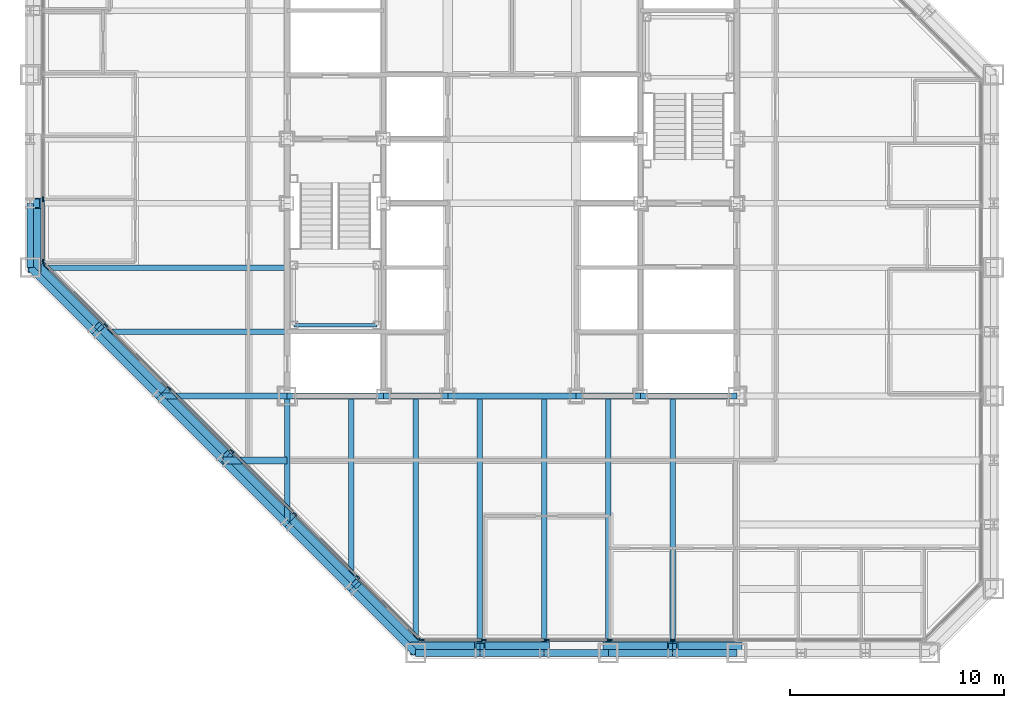
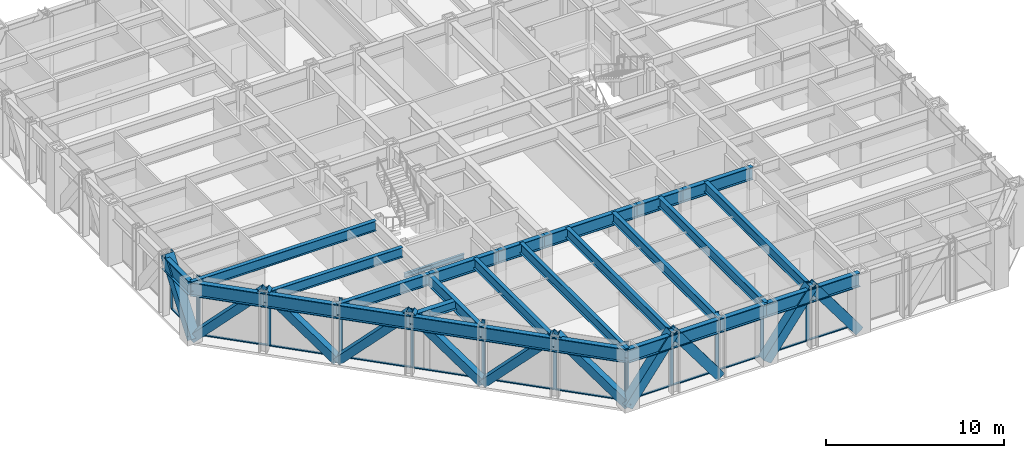
# One storey, part 4 of 16: 37 members, 29 beams, 3 elements without a shape of their own.
"""IFC4 building model written with IfcOpenShell, lengths in metres."""

from ifc_helpers import new_model, si_unit, direction, frame, origin, origin_2d, place, context, subcontext, project, spatial, rectangle, hollow_rectangle, i_section, extrude, material, layer, layer_set, material_profile, profile_set, type_object, element, aggregate, save


model = new_model("IFC4")

# Units and contexts
model_context = context("Model", 3, precision=1e-05, world=origin(), true_north=direction((0.0, 1.0)))
body_context = subcontext(model_context, "Body", "Model", "MODEL_VIEW")
ifc_project = project(units=[si_unit("LENGTHUNIT", "METRE"), si_unit("AREAUNIT", "SQUARE_METRE"), si_unit("VOLUMEUNIT", "CUBIC_METRE"), si_unit("PLANEANGLEUNIT", "RADIAN"), si_unit("MASSUNIT", "GRAM", prefix="KILO")], contexts=[model_context])

# Site, building, storey
site_placement = place(None, origin())
site = spatial("IfcSite", under=ifc_project, at=site_placement, CompositionType="ELEMENT")
building_placement = place(site_placement, origin())
building = spatial("IfcBuilding", under=site, at=building_placement, Name="Chuquiago Exchange Tower", CompositionType="ELEMENT")
storey_placement = place(building_placement, frame((0.0, 0.0, 157.199951171875)))
storey = spatial("IfcBuildingStorey", under=building, at=storey_placement, Name="L34", CompositionType="ELEMENT", Elevation=157.199951171875)

# Beams
ifc_material_1 = material(Name="Steel ASTM A992", Category="steel")
ifc_material_profile_1 = material_profile(ifc_material_1, i_section(OverallWidth=0.25390625, OverallDepth=0.683349609375, WebThickness=0.012451171875, FlangeThickness=0.018798828125, at=origin_2d()), Name="W27X94")
ifc_profile_set_1 = profile_set([ifc_material_profile_1], Name="Steel ASTM A992")
beam_type_1 = type_object("IfcBeamType", Name="B1 W27X94", PredefinedType="BEAM", material=ifc_profile_set_1)
beam_1_placement = place(storey_placement, frame((15.0, 12.0, 3.698486328125), z_axis=(0.0, -1.0, 0.0), x_axis=(1.0, 0.0, 0.0)))
element("IfcBeam", 1, at=beam_1_placement, inside=storey, type_object=beam_type_1, Name="FB-L35-infill-15_12-15_3-0", PredefinedType="BEAM", context=body_context, shape_type="SweptSolid", body=[
    extrude(i_section(OverallWidth=0.25390625, OverallDepth=0.683349609375, WebThickness=0.012451171875, FlangeThickness=0.018798828125, at=origin_2d()), origin(), (0.0, 0.0, 1.0), 9.0),
])
for number, where, z_axis, x_axis, name in (
    (2, (18.0, 12.0, 3.698486328125), (0.0, -1.0, 0.0), (1.0, 0.0, 0.0), "FB-L35-infill-18_12-18_-0-0"),
    (3, (21.0, 12.0, 3.698486328125), (0.0, -1.0, 0.0), (1.0, 0.0, 0.0), "FB-L35-infill-21_12-21_-0-0"),
    (4, (24.0, 12.0, 3.698486328125), (0.0, -1.0, 0.0), (1.0, 0.0, 0.0), "FB-L35-infill-24_12-24_-0-0"),
    (5, (27.0, 12.0, 3.698486328125), (0.0, -1.0, 0.0), (1.0, 0.0, 0.0), "FB-L35-infill-27_12-27_-0-0"),
    (6, (30.0, 12.0, 3.698486328125), (0.0, -1.0, 0.0), (1.0, 0.0, 0.0), "FB-L35-infill-30_12-30_-0-0"),
):
    element("IfcBeam", number, at=place(storey_placement, frame(where, z_axis=z_axis, x_axis=x_axis)), inside=storey, type_object=beam_type_1, Name=name, PredefinedType="BEAM", context=body_context, shape_type="SweptSolid", body=[
        extrude(i_section(OverallWidth=0.25390625, OverallDepth=0.683349609375, WebThickness=0.012451171875, FlangeThickness=0.018798828125, at=origin_2d()), origin(), (0.0, 0.0, 1.0), 12.0),
    ])
beam_2_placement = place(storey_placement, frame((12.0, 15.0, 3.698486328125), z_axis=(-1.0, 0.0, 0.0), x_axis=(0.0, -1.0, 0.0)))
element("IfcBeam", 7, at=beam_2_placement, inside=storey, type_object=beam_type_1, Name="FB-L35-infill-12_15-3_15-0", PredefinedType="BEAM", context=body_context, shape_type="SweptSolid", body=[
    extrude(i_section(OverallWidth=0.25390625, OverallDepth=0.683349609375, WebThickness=0.012451171875, FlangeThickness=0.018798828125, at=origin_2d()), origin(), (0.0, 0.0, 1.0), 9.0),
])
beam_3_placement = place(storey_placement, frame((12.0, 18.0, 3.698486328125), z_axis=(-1.0, 0.0, 0.0), x_axis=(0.0, -1.0, 0.0)))
element("IfcBeam", 8, at=beam_3_placement, inside=storey, type_object=beam_type_1, Name="FB-L35-infill-12_18--0_18-0", PredefinedType="BEAM", context=body_context, shape_type="SweptSolid", body=[
    extrude(i_section(OverallWidth=0.25390625, OverallDepth=0.683349609375, WebThickness=0.012451171875, FlangeThickness=0.018798828125, at=origin_2d()), origin(), (0.0, 0.0, 1.0), 12.0),
])
ifc_material_2 = material(Name="Steel ASTM A992", Category="steel")
ifc_material_profile_2 = material_profile(ifc_material_2, i_section(OverallWidth=0.3251953125, OverallDepth=0.612060546875, WebThickness=0.0126953125, FlangeThickness=0.01904296875, at=origin_2d()), Name="W24X104")
ifc_profile_set_2 = profile_set([ifc_material_profile_2], Name="Steel ASTM A992")
beam_type_2 = type_object("IfcBeamType", Name="B2 W24X104", PredefinedType="BEAM", material=ifc_profile_set_2)
beam_4_placement = place(storey_placement, frame((12.0, 9.0, 3.73388671875), z_axis=(-1.0, 0.0, 0.0), x_axis=(0.0, -1.0, 0.0)))
element("IfcBeam", 9, at=beam_4_placement, inside=storey, type_object=beam_type_2, Name="FB-L35-corner-12_9-9_9-0", PredefinedType="BEAM", context=body_context, shape_type="SweptSolid", body=[
    extrude(i_section(OverallWidth=0.3251953125, OverallDepth=0.612060546875, WebThickness=0.0126953125, FlangeThickness=0.01904296875, at=origin_2d()), origin(), (0.0, 0.0, 1.0), 3.0),
])
ifc_material_3 = material(Name="Steel ASTM A992", Category="steel")
ifc_material_profile_3 = material_profile(ifc_material_3, i_section(OverallWidth=0.2919921875, OverallDepth=0.8583984375, WebThickness=0.01708984375, FlangeThickness=0.031005859375, at=origin_2d()), Name="W33X169")
ifc_profile_set_3 = profile_set([ifc_material_profile_3], Name="Steel ASTM A992")
beam_type_3 = type_object("IfcBeamType", Name="B3 W33X169", PredefinedType="BEAM", material=ifc_profile_set_3)
beam_5_placement = place(storey_placement, frame((12.0, 12.0, 3.61083984375), z_axis=(1.0, 0.0, 0.0), x_axis=(0.0, 1.0, 0.0)))
element("IfcBeam", 10, at=beam_5_placement, inside=storey, type_object=beam_type_3, Name="CB-L35-12_12-16.5_12", PredefinedType="BEAM", context=body_context, shape_type="SweptSolid", body=[
    extrude(i_section(OverallWidth=0.2919921875, OverallDepth=0.8583984375, WebThickness=0.01708984375, FlangeThickness=0.031005859375, at=origin_2d()), origin(), (0.0, 0.0, 1.0), 4.5),
])
beam_6_placement = place(storey_placement, frame((16.5, 12.0, 3.61083984375), z_axis=(1.0, 0.0, 0.0), x_axis=(0.0, 1.0, 0.0)))
element("IfcBeam", 11, at=beam_6_placement, inside=storey, type_object=beam_type_3, Name="CB-L35-16.5_12-19.5_12", PredefinedType="BEAM", context=body_context, shape_type="SweptSolid", body=[
    extrude(i_section(OverallWidth=0.2919921875, OverallDepth=0.8583984375, WebThickness=0.01708984375, FlangeThickness=0.031005859375, at=origin_2d()), origin(), (0.0, 0.0, 1.0), 3.0),
])
beam_7_placement = place(storey_placement, frame((19.5, 12.0, 3.61083984375), z_axis=(1.0, 0.0, 0.0), x_axis=(0.0, 1.0, 0.0)))
element("IfcBeam", 12, at=beam_7_placement, inside=storey, type_object=beam_type_3, Name="CB-L35-19.5_12-25.5_12", PredefinedType="BEAM", context=body_context, shape_type="SweptSolid", body=[
    extrude(i_section(OverallWidth=0.2919921875, OverallDepth=0.8583984375, WebThickness=0.01708984375, FlangeThickness=0.031005859375, at=origin_2d()), origin(), (0.0, 0.0, 1.0), 6.0),
])
beam_8_placement = place(storey_placement, frame((25.5, 12.0, 3.61083984375), z_axis=(1.0, 0.0, 0.0), x_axis=(0.0, 1.0, 0.0)))
element("IfcBeam", 13, at=beam_8_placement, inside=storey, type_object=beam_type_3, Name="CB-L35-25.5_12-28.5_12", PredefinedType="BEAM", context=body_context, shape_type="SweptSolid", body=[
    extrude(i_section(OverallWidth=0.2919921875, OverallDepth=0.8583984375, WebThickness=0.01708984375, FlangeThickness=0.031005859375, at=origin_2d()), origin(), (0.0, 0.0, 1.0), 3.0),
])
beam_9_placement = place(storey_placement, frame((28.5, 12.0, 3.61083984375), z_axis=(1.0, 0.0, 0.0), x_axis=(0.0, 1.0, 0.0)))
element("IfcBeam", 14, at=beam_9_placement, inside=storey, type_object=beam_type_3, Name="CB-L35-28.5_12-33_12", PredefinedType="BEAM", context=body_context, shape_type="SweptSolid", body=[
    extrude(i_section(OverallWidth=0.2919921875, OverallDepth=0.8583984375, WebThickness=0.01708984375, FlangeThickness=0.031005859375, at=origin_2d()), origin(), (0.0, 0.0, 1.0), 4.5),
])

# Curtain wall, members
ifc_material_4 = material(Name="Aluminium curtain wall system", Category="aluminium")
ifc_layer_1 = layer(ifc_material_4, 0.22509765625)
ifc_layer_set_1 = layer_set([ifc_layer_1], Name="CW2 office curtain wall")
curtain_wall_type_1 = type_object("IfcCurtainWallType", Name="CW2 office curtain wall", PredefinedType="NOTDEFINED", material=ifc_layer_set_1)
curtain_wall_1_placement = place(storey_placement, origin())
curtain_wall_1 = element("IfcCurtainWall", 15, at=curtain_wall_1_placement, inside=storey, type_object=curtain_wall_type_1, Name="CW2 curtain wall L34", PredefinedType="NOTDEFINED")
ifc_material_5 = material(Name="Aluminium mullion, pale anodised", Category="aluminium")
ifc_material_profile_4 = material_profile(ifc_material_5, rectangle(XDim=0.06494140625, YDim=0.22509765625, at=origin_2d()), Name="AL 65x225")
ifc_profile_set_4 = profile_set([ifc_material_profile_4], Name="Aluminium mullion, pale anodised")
member_type_1 = type_object("IfcMemberType", Name="CW2-M mullion 65x225", PredefinedType="MULLION", material=ifc_profile_set_4)
member_1_placement = place(storey_placement, frame((18.281005859375, 0.60009765625, 0.0), z_axis=(0.0, 0.0, 1.0), x_axis=(0.0, 1.0, 0.0)))
member_1 = element("IfcMember", 16, at=member_1_placement, type_object=member_type_1, Name="CW2 mullion 1", PredefinedType="MULLION", context=body_context, shape_type="SweptSolid", body=[
    extrude(rectangle(XDim=0.06494140625, YDim=0.22509765625, at=origin_2d()), origin(), (0.0, 0.0, 1.0), 4.0400390625),
])
member_2_placement = place(storey_placement, frame((21.186279296875, 0.60009765625, 0.0), z_axis=(0.0, 0.0, 1.0), x_axis=(0.0, 1.0, 0.0)))
member_2 = element("IfcMember", 17, at=member_2_placement, type_object=member_type_1, Name="CW2 mullion 2", PredefinedType="MULLION", context=body_context, shape_type="SweptSolid", body=[
    extrude(rectangle(XDim=0.06494140625, YDim=0.22509765625, at=origin_2d()), origin(), (0.0, 0.0, 1.0), 4.0400390625),
])
member_3_placement = place(storey_placement, frame((24.124267578125, 0.60009765625, 0.0), z_axis=(0.0, 0.0, 1.0), x_axis=(0.0, 1.0, 0.0)))
member_3 = element("IfcMember", 18, at=member_3_placement, type_object=member_type_1, Name="CW2 mullion 3", PredefinedType="MULLION", context=body_context, shape_type="SweptSolid", body=[
    extrude(rectangle(XDim=0.06494140625, YDim=0.22509765625, at=origin_2d()), origin(), (0.0, 0.0, 1.0), 4.0400390625),
])
member_4_placement = place(storey_placement, frame((27.06201171875, 0.60009765625, 0.0), z_axis=(0.0, 0.0, 1.0), x_axis=(0.0, 1.0, 0.0)))
member_4 = element("IfcMember", 19, at=member_4_placement, type_object=member_type_1, Name="CW2 mullion 4", PredefinedType="MULLION", context=body_context, shape_type="SweptSolid", body=[
    extrude(rectangle(XDim=0.06494140625, YDim=0.22509765625, at=origin_2d()), origin(), (0.0, 0.0, 1.0), 4.0400390625),
])
member_5_placement = place(storey_placement, frame((30.0, 0.60009765625, 0.0), z_axis=(0.0, 0.0, 1.0), x_axis=(0.0, 1.0, 0.0)))
member_5 = element("IfcMember", 20, at=member_5_placement, type_object=member_type_1, Name="CW2 mullion 5", PredefinedType="MULLION", context=body_context, shape_type="SweptSolid", body=[
    extrude(rectangle(XDim=0.06494140625, YDim=0.22509765625, at=origin_2d()), origin(), (0.0, 0.0, 1.0), 4.0400390625),
])

curtain_wall_2_placement = place(storey_placement, origin())
curtain_wall_2 = element("IfcCurtainWall", 21, at=curtain_wall_2_placement, inside=storey, type_object=curtain_wall_type_1, Name="CW2 curtain wall L34", PredefinedType="NOTDEFINED")
member_6_placement = place(storey_placement, frame((0.60009765625, 21.186279296875, 0.0), z_axis=(0.0, 0.0, 1.0), x_axis=(1.0, 0.0, 0.0)))
member_6 = element("IfcMember", 22, at=member_6_placement, type_object=member_type_1, Name="CW2 mullion 8", PredefinedType="MULLION", context=body_context, shape_type="SweptSolid", body=[
    extrude(rectangle(XDim=0.06494140625, YDim=0.22509765625, at=origin_2d()), origin(), (0.0, 0.0, 1.0), 4.0400390625),
])
member_7_placement = place(storey_placement, frame((0.60009765625, 18.281005859375, 0.0), z_axis=(0.0, 0.0, 1.0), x_axis=(1.0, 0.0, 0.0)))
member_7 = element("IfcMember", 23, at=member_7_placement, type_object=member_type_1, Name="CW2 mullion 9", PredefinedType="MULLION", context=body_context, shape_type="SweptSolid", body=[
    extrude(rectangle(XDim=0.06494140625, YDim=0.22509765625, at=origin_2d()), origin(), (0.0, 0.0, 1.0), 4.0400390625),
])

# Member
ifc_material_6 = material(Name="Aluminium transom, pale anodised", Category="aluminium")
ifc_material_profile_5 = material_profile(ifc_material_6, rectangle(XDim=0.139892578125, YDim=0.06494140625, at=origin_2d()), Name="AL 140x65")
ifc_profile_set_5 = profile_set([ifc_material_profile_5], Name="Aluminium transom, pale anodised")
member_type_2 = type_object("IfcMemberType", Name="CW2-T transom 65x140", PredefinedType="MULLION", material=ifc_profile_set_5)
member_8_placement = place(storey_placement, frame((18.3134765625, 0.60009765625, 0.032470703125), z_axis=(1.0, 0.0, 0.0), x_axis=(0.0, 1.0, 0.0)))
member_8 = element("IfcMember", 24, at=member_8_placement, type_object=member_type_2, Name="CW2 transom 1.1", PredefinedType="MULLION", context=body_context, shape_type="SweptSolid", body=[
    extrude(rectangle(XDim=0.139892578125, YDim=0.06494140625, at=origin_2d()), origin(), (0.0, 0.0, 1.0), 2.84033203125),
])

member_9_placement = place(storey_placement, frame((21.218994140625, 0.60009765625, 0.032470703125), z_axis=(1.0, 0.0, 0.0), x_axis=(0.0, 1.0, 0.0)))
member_9 = element("IfcMember", 25, at=member_9_placement, type_object=member_type_2, Name="CW2 transom 2.1", PredefinedType="MULLION", context=body_context, shape_type="SweptSolid", body=[
    extrude(rectangle(XDim=0.139892578125, YDim=0.06494140625, at=origin_2d()), origin(), (0.0, 0.0, 1.0), 2.872802734375),
])

member_10_placement = place(storey_placement, frame((24.15673828125, 0.60009765625, 0.032470703125), z_axis=(1.0, 0.0, 0.0), x_axis=(0.0, 1.0, 0.0)))
member_10 = element("IfcMember", 26, at=member_10_placement, type_object=member_type_2, Name="CW2 transom 3.1", PredefinedType="MULLION", context=body_context, shape_type="SweptSolid", body=[
    extrude(rectangle(XDim=0.139892578125, YDim=0.06494140625, at=origin_2d()), origin(), (0.0, 0.0, 1.0), 2.872802734375),
])

member_11_placement = place(storey_placement, frame((27.0947265625, 0.60009765625, 0.032470703125), z_axis=(1.0, 0.0, 0.0), x_axis=(0.0, 1.0, 0.0)))
member_11 = element("IfcMember", 27, at=member_11_placement, type_object=member_type_2, Name="CW2 transom 4.1", PredefinedType="MULLION", context=body_context, shape_type="SweptSolid", body=[
    extrude(rectangle(XDim=0.139892578125, YDim=0.06494140625, at=origin_2d()), origin(), (0.0, 0.0, 1.0), 2.872802734375),
])

member_12_placement = place(storey_placement, frame((30.032470703125, 0.60009765625, 0.032470703125), z_axis=(1.0, 0.0, 0.0), x_axis=(0.0, 1.0, 0.0)))
member_12 = element("IfcMember", 28, at=member_12_placement, type_object=member_type_2, Name="CW2 transom 5.1", PredefinedType="MULLION", context=body_context, shape_type="SweptSolid", body=[
    extrude(rectangle(XDim=0.139892578125, YDim=0.06494140625, at=origin_2d()), origin(), (0.0, 0.0, 1.0), 2.872802734375),
])

aggregate(curtain_wall_1, [member_1, member_2, member_3, member_4, member_5, member_8, member_9, member_10, member_11, member_12])

member_13_placement = place(storey_placement, frame((0.60009765625, 21.15380859375, 0.032470703125), z_axis=(0.0, -1.0, 0.0), x_axis=(1.0, 0.0, 0.0)))
member_13 = element("IfcMember", 29, at=member_13_placement, type_object=member_type_2, Name="CW2 transom 8.1", PredefinedType="MULLION", context=body_context, shape_type="SweptSolid", body=[
    extrude(rectangle(XDim=0.139892578125, YDim=0.06494140625, at=origin_2d()), origin(), (0.0, 0.0, 1.0), 2.84033203125),
])

aggregate(curtain_wall_2, [member_6, member_7, member_13])

# Curtain wall, members
ifc_material_7 = material(Name="Aluminium curtain wall system", Category="aluminium")
ifc_layer_2 = layer(ifc_material_7, 0.199951171875)
ifc_layer_set_2 = layer_set([ifc_layer_2], Name="CW3 facet curtain wall")
curtain_wall_type_2 = type_object("IfcCurtainWallType", Name="CW3 facet curtain wall", PredefinedType="NOTDEFINED", material=ifc_layer_set_2)
curtain_wall_3_placement = place(storey_placement, origin())
curtain_wall_3 = element("IfcCurtainWall", 30, at=curtain_wall_3_placement, inside=storey, type_object=curtain_wall_type_2, Name="CW3 curtain wall L34", PredefinedType="NOTDEFINED")
ifc_material_8 = material(Name="Aluminium mullion, pale anodised", Category="aluminium")
ifc_material_profile_6 = material_profile(ifc_material_8, rectangle(XDim=0.06494140625, YDim=0.199951171875, at=origin_2d()), Name="AL 65x200")
ifc_profile_set_6 = profile_set([ifc_material_profile_6], Name="Aluminium mullion, pale anodised")
member_type_3 = type_object("IfcMemberType", Name="CW3-M mullion 65x200", PredefinedType="MULLION", material=ifc_profile_set_6)
member_14_placement = place(storey_placement, frame((0.623046875, 18.2255859375, 0.0), z_axis=(0.0, 0.0, 1.0), x_axis=(0.707106781187, 0.707106781187, 0.0)))
member_14 = element("IfcMember", 31, at=member_14_placement, type_object=member_type_3, Name="CW3 mullion 1", PredefinedType="MULLION", context=body_context, shape_type="SweptSolid", body=[
    extrude(rectangle(XDim=0.06494140625, YDim=0.199951171875, at=origin_2d()), origin(), (0.0, 0.0, 1.0), 4.0400390625),
])
member_15_placement = place(storey_placement, frame((3.54150390625, 15.30712890625, 0.0), z_axis=(0.0, 0.0, 1.0), x_axis=(0.707106781187, 0.707106781187, 0.0)))
member_15 = element("IfcMember", 32, at=member_15_placement, type_object=member_type_3, Name="CW3 mullion 2", PredefinedType="MULLION", context=body_context, shape_type="SweptSolid", body=[
    extrude(rectangle(XDim=0.06494140625, YDim=0.199951171875, at=origin_2d()), origin(), (0.0, 0.0, 1.0), 4.0400390625),
])
member_16_placement = place(storey_placement, frame((6.48291015625, 12.36572265625, 0.0), z_axis=(0.0, 0.0, 1.0), x_axis=(0.707106781187, 0.707106781187, 0.0)))
member_16 = element("IfcMember", 33, at=member_16_placement, type_object=member_type_3, Name="CW3 mullion 3", PredefinedType="MULLION", context=body_context, shape_type="SweptSolid", body=[
    extrude(rectangle(XDim=0.06494140625, YDim=0.199951171875, at=origin_2d()), origin(), (0.0, 0.0, 1.0), 4.0400390625),
])
member_17_placement = place(storey_placement, frame((9.42431640625, 9.42431640625, 0.0), z_axis=(0.0, 0.0, 1.0), x_axis=(0.707106781187, 0.707106781187, 0.0)))
member_17 = element("IfcMember", 34, at=member_17_placement, type_object=member_type_3, Name="CW3 mullion 4", PredefinedType="MULLION", context=body_context, shape_type="SweptSolid", body=[
    extrude(rectangle(XDim=0.06494140625, YDim=0.199951171875, at=origin_2d()), origin(), (0.0, 0.0, 1.0), 4.0400390625),
])
member_18_placement = place(storey_placement, frame((12.36572265625, 6.48291015625, 0.0), z_axis=(0.0, 0.0, 1.0), x_axis=(0.707106781187, 0.707106781187, 0.0)))
member_18 = element("IfcMember", 35, at=member_18_placement, type_object=member_type_3, Name="CW3 mullion 5", PredefinedType="MULLION", context=body_context, shape_type="SweptSolid", body=[
    extrude(rectangle(XDim=0.06494140625, YDim=0.199951171875, at=origin_2d()), origin(), (0.0, 0.0, 1.0), 4.0400390625),
])
member_19_placement = place(storey_placement, frame((15.30712890625, 3.54150390625, 0.0), z_axis=(0.0, 0.0, 1.0), x_axis=(0.707106781187, 0.707106781187, 0.0)))
member_19 = element("IfcMember", 36, at=member_19_placement, type_object=member_type_3, Name="CW3 mullion 6", PredefinedType="MULLION", context=body_context, shape_type="SweptSolid", body=[
    extrude(rectangle(XDim=0.06494140625, YDim=0.199951171875, at=origin_2d()), origin(), (0.0, 0.0, 1.0), 4.0400390625),
])
member_20_placement = place(storey_placement, frame((18.2255859375, 0.623046875, 0.0), z_axis=(0.0, 0.0, 1.0), x_axis=(0.707106781187, 0.707106781187, 0.0)))
member_20 = element("IfcMember", 37, at=member_20_placement, type_object=member_type_3, Name="CW3 mullion 7", PredefinedType="MULLION", context=body_context, shape_type="SweptSolid", body=[
    extrude(rectangle(XDim=0.06494140625, YDim=0.199951171875, at=origin_2d()), origin(), (0.0, 0.0, 1.0), 4.0400390625),
])
ifc_material_9 = material(Name="Aluminium transom, pale anodised", Category="aluminium")
ifc_material_profile_7 = material_profile(ifc_material_9, rectangle(XDim=0.139892578125, YDim=0.06494140625, at=origin_2d()), Name="AL 140x65")
ifc_profile_set_7 = profile_set([ifc_material_profile_7], Name="Aluminium transom, pale anodised")
member_type_4 = type_object("IfcMemberType", Name="CW3-T transom 65x140", PredefinedType="MULLION", material=ifc_profile_set_7)
member_21_placement = place(storey_placement, frame((0.64599609375, 18.20263671875, 0.032470703125), z_axis=(0.707106781187, -0.707106781187, 0.0), x_axis=(0.707106781187, 0.707106781187, 0.0)))
member_21 = element("IfcMember", 38, at=member_21_placement, type_object=member_type_4, Name="CW3 transom 1.1", PredefinedType="MULLION", context=body_context, shape_type="SweptSolid", body=[
    extrude(rectangle(XDim=0.139892578125, YDim=0.06494140625, at=origin_2d()), origin(), (0.0, 0.0, 1.0), 4.0625),
])
member_22_placement = place(storey_placement, frame((3.564453125, 15.2841796875, 0.032470703125), z_axis=(0.707106781187, -0.707106781187, 0.0), x_axis=(0.707106781187, 0.707106781187, 0.0)))
member_22 = element("IfcMember", 39, at=member_22_placement, type_object=member_type_4, Name="CW3 transom 2.1", PredefinedType="MULLION", context=body_context, shape_type="SweptSolid", body=[
    extrude(rectangle(XDim=0.139892578125, YDim=0.06494140625, at=origin_2d()), origin(), (0.0, 0.0, 1.0), 4.094970703125),
])
member_23_placement = place(storey_placement, frame((6.505859375, 12.3427734375, 0.032470703125), z_axis=(0.707106781187, -0.707106781187, 0.0), x_axis=(0.707106781187, 0.707106781187, 0.0)))
member_23 = element("IfcMember", 40, at=member_23_placement, type_object=member_type_4, Name="CW3 transom 3.1", PredefinedType="MULLION", context=body_context, shape_type="SweptSolid", body=[
    extrude(rectangle(XDim=0.139892578125, YDim=0.06494140625, at=origin_2d()), origin(), (0.0, 0.0, 1.0), 4.094970703125),
])
member_24_placement = place(storey_placement, frame((9.447265625, 9.4013671875, 0.032470703125), z_axis=(0.707106781187, -0.707106781187, 0.0), x_axis=(0.707106781187, 0.707106781187, 0.0)))
member_24 = element("IfcMember", 41, at=member_24_placement, type_object=member_type_4, Name="CW3 transom 4.1", PredefinedType="MULLION", context=body_context, shape_type="SweptSolid", body=[
    extrude(rectangle(XDim=0.139892578125, YDim=0.06494140625, at=origin_2d()), origin(), (0.0, 0.0, 1.0), 4.094970703125),
])
member_25_placement = place(storey_placement, frame((12.388671875, 6.4599609375, 0.032470703125), z_axis=(0.707106781187, -0.707106781187, 0.0), x_axis=(0.707106781187, 0.707106781187, 0.0)))
member_25 = element("IfcMember", 42, at=member_25_placement, type_object=member_type_4, Name="CW3 transom 5.1", PredefinedType="MULLION", context=body_context, shape_type="SweptSolid", body=[
    extrude(rectangle(XDim=0.139892578125, YDim=0.06494140625, at=origin_2d()), origin(), (0.0, 0.0, 1.0), 4.094970703125),
])
member_26_placement = place(storey_placement, frame((15.330078125, 3.5185546875, 0.032470703125), z_axis=(0.707106781187, -0.707106781187, 0.0), x_axis=(0.707106781187, 0.707106781187, 0.0)))
member_26 = element("IfcMember", 43, at=member_26_placement, type_object=member_type_4, Name="CW3 transom 6.1", PredefinedType="MULLION", context=body_context, shape_type="SweptSolid", body=[
    extrude(rectangle(XDim=0.139892578125, YDim=0.06494140625, at=origin_2d()), origin(), (0.0, 0.0, 1.0), 4.0625),
])
aggregate(curtain_wall_3, [member_14, member_15, member_16, member_17, member_18, member_19, member_20, member_21, member_22, member_23, member_24, member_25, member_26])

# Beams
ifc_material_10 = material(Name="Steel ASTM A992", Category="steel")
ifc_material_profile_8 = material_profile(ifc_material_10, i_section(OverallWidth=0.2666015625, OverallDepth=0.76953125, WebThickness=0.015625, FlangeThickness=0.025390625, at=origin_2d()), Name="W30X132")
ifc_profile_set_8 = profile_set([ifc_material_profile_8], Name="Steel ASTM A992")
beam_type_4 = type_object("IfcBeamType", Name="G1 W30X132", PredefinedType="BEAM", material=ifc_profile_set_8)
for number, where, z_axis, x_axis, name in (
    (44, (12.0, 12.0, 3.6552734375), (0.0, -1.0, 0.0), (1.0, 0.0, 0.0), "FB-L35-girder-12_12-12_6-0"),
    (45, (12.0, 12.0, 3.6552734375), (-1.0, 0.0, 0.0), (0.0, -1.0, 0.0), "FB-L35-girder-12_12-6_12-0"),
):
    element("IfcBeam", number, at=place(storey_placement, frame(where, z_axis=z_axis, x_axis=x_axis)), inside=storey, type_object=beam_type_4, Name=name, PredefinedType="BEAM", context=body_context, shape_type="SweptSolid", body=[
        extrude(i_section(OverallWidth=0.2666015625, OverallDepth=0.76953125, WebThickness=0.015625, FlangeThickness=0.025390625, at=origin_2d()), origin(), (0.0, 0.0, 1.0), 6.0),
    ])

# Members
ifc_material_11 = material(Name="Steel ASTM A500 Grade C", Category="steel")
ifc_material_profile_9 = material_profile(ifc_material_11, hollow_rectangle(XDim=0.508056640625, YDim=0.508056640625, WallThickness=0.017822265625, at=origin_2d()), Name="HSS20X20X3/4")
ifc_profile_set_9 = profile_set([ifc_material_profile_9], Name="Steel ASTM A500 Grade C")
member_type_5 = type_object("IfcMemberType", Name="LB1 HSS20X20X3/4", PredefinedType="BRACE", material=ifc_profile_set_9)
for number, where, z_axis, x_axis, name in (
    (46, (0.177490234375, 18.177490234375, 0.0), (0.512077265487, -0.512077265487, 0.689604051861), (0.707106781187, 0.707106781187, 0.0), "LB-L34-0_18-3_15"),
    (47, (6.177490234375, 12.177490234375, 0.0), (-0.512077265487, 0.512077265487, 0.689604051861), (-0.707106781187, -0.707106781187, 0.0), "LB-L34-3_15-6_12"),
    (48, (6.177490234375, 12.177490234375, 0.0), (0.512077265487, -0.512077265487, 0.689604051861), (0.707106781187, 0.707106781187, 0.0), "LB-L34-6_12-9_9"),
    (49, (12.177490234375, 6.177490234375, 0.0), (-0.512077265487, 0.512077265487, 0.689604051861), (-0.707106781187, -0.707106781187, 0.0), "LB-L34-9_9-12_6"),
    (50, (12.177490234375, 6.177490234375, 0.0), (0.512077265487, -0.512077265487, 0.689604051861), (0.707106781187, 0.707106781187, 0.0), "LB-L34-12_6-15_3"),
    (51, (18.177490234375, 0.177490234375, 0.0), (-0.512077265487, 0.512077265487, 0.689604051861), (-0.707106781187, -0.707106781187, 0.0), "LB-L34-15_3-18_0"),
):
    element("IfcMember", number, at=place(storey_placement, frame(where, z_axis=z_axis, x_axis=x_axis)), inside=storey, type_object=member_type_5, Name=name, PredefinedType="BRACE", context=body_context, shape_type="SweptSolid", body=[
        extrude(hollow_rectangle(XDim=0.508056640625, YDim=0.508056640625, WallThickness=0.017822265625, at=origin_2d()), origin(), (0.0, 0.0, 1.0), 5.8583984375),
    ])

# Beam
ifc_material_12 = material(Name="Steel ASTM A992", Category="steel")
ifc_material_profile_10 = material_profile(ifc_material_12, i_section(OverallWidth=0.164794921875, OverallDepth=0.309814453125, WebThickness=0.005859375, FlangeThickness=0.009765625, at=origin_2d()), Name="W12X26")
ifc_profile_set_10 = profile_set([ifc_material_profile_10], Name="Steel ASTM A992")
beam_type_5 = type_object("IfcBeamType", Name="LT1 W12X26", PredefinedType="BEAM", material=ifc_profile_set_10)
beam_10_placement = place(storey_placement, frame((12.31005859375, 15.31005859375, 1.7451171875), z_axis=(1.0, 0.0, 0.0), x_axis=(0.0, 1.0, 0.0)))
element("IfcBeam", 52, at=beam_10_placement, inside=storey, type_object=beam_type_5, Name="Stair ST1 L34 landing 1 trimmer", PredefinedType="BEAM", context=body_context, shape_type="SweptSolid", body=[
    extrude(i_section(OverallWidth=0.164794921875, OverallDepth=0.309814453125, WebThickness=0.005859375, FlangeThickness=0.009765625, at=origin_2d()), origin(), (0.0, 0.0, 1.0), 3.8798828125),
])

# Members
ifc_material_13 = material(Name="Steel ASTM A572 Grade 50", Category="steel")
ifc_material_profile_11 = material_profile(ifc_material_13, hollow_rectangle(XDim=0.60009765625, YDim=0.60009765625, WallThickness=0.06005859375, at=origin_2d()), Name="BOX600X600X60")
ifc_profile_set_11 = profile_set([ifc_material_profile_11], Name="Steel ASTM A572 Grade 50")
member_type_6 = type_object("IfcMemberType", Name="MB2 BOX600X600X60", PredefinedType="BRACE", material=ifc_profile_set_11)
for number, where, z_axis, x_axis, name in (
    (53, (18.0, 0.205078125, 0.0), (0.596173923302, 0.0, 0.802855312728), (0.0, 1.0, 0.0), "Mega diagonal L34 S face"),
    (54, (24.0, 0.205078125, 0.0), (-0.596173923302, 0.0, 0.802855312728), (0.0, -1.0, 0.0), "Mega diagonal L34 S face"),
    (55, (27.0, 0.205078125, 0.0), (0.596173923302, 0.0, 0.802855312728), (0.0, 1.0, 0.0), "Mega diagonal L34 S face"),
    (56, (33.0, 0.205078125, 0.0), (-0.596173923302, 0.0, 0.802855312728), (0.0, -1.0, 0.0), "Mega diagonal L34 S face"),
    (57, (0.205078125, 18.0, 0.0), (0.0, 0.596173923302, 0.802855312728), (-1.0, 0.0, 0.0), "Mega diagonal L34 W face"),
):
    element("IfcMember", number, at=place(storey_placement, frame(where, z_axis=z_axis, x_axis=x_axis)), inside=storey, type_object=member_type_6, Name=name, PredefinedType="BRACE", context=body_context, shape_type="SweptSolid", body=[
        extrude(hollow_rectangle(XDim=0.60009765625, YDim=0.60009765625, WallThickness=0.06005859375, at=origin_2d()), origin(), (0.0, 0.0, 1.0), 5.031982421875),
    ])

# Beams
ifc_material_14 = material(Name="Steel ASTM A992", Category="steel")
ifc_material_profile_12 = material_profile(ifc_material_14, i_section(OverallWidth=0.309814453125, OverallDepth=0.949951171875, WebThickness=0.0244140625, FlangeThickness=0.0439453125, at=origin_2d()), Name="W36X256")
ifc_profile_set_12 = profile_set([ifc_material_profile_12], Name="Steel ASTM A992")
beam_type_6 = type_object("IfcBeamType", Name="SP2 W36X256", PredefinedType="SPANDREL", material=ifc_profile_set_12)
for number, where, z_axis, x_axis, name in (
    (58, (18.0, 0.0, 3.56494140625), (1.0, 0.0, 0.0), (0.0, 1.0, 0.0), "SPB-L35-18_0-21_0"),
    (59, (21.0, 0.0, 3.56494140625), (1.0, 0.0, 0.0), (0.0, 1.0, 0.0), "SPB-L35-21_0-24_0"),
    (60, (24.0, 0.0, 3.56494140625), (1.0, 0.0, 0.0), (0.0, 1.0, 0.0), "SPB-L35-24_0-27_0"),
    (61, (27.0, 0.0, 3.56494140625), (1.0, 0.0, 0.0), (0.0, 1.0, 0.0), "SPB-L35-27_0-30_0"),
    (62, (30.0, 0.0, 3.56494140625), (1.0, 0.0, 0.0), (0.0, 1.0, 0.0), "SPB-L35-30_0-33_0"),
    (63, (0.0, 21.0, 3.56494140625), (0.0, -1.0, 0.0), (1.0, 0.0, 0.0), "SPB-L35-0_21-0_18"),
):
    element("IfcBeam", number, at=place(storey_placement, frame(where, z_axis=z_axis, x_axis=x_axis)), inside=storey, type_object=beam_type_6, Name=name, PredefinedType="SPANDREL", context=body_context, shape_type="SweptSolid", body=[
        extrude(i_section(OverallWidth=0.309814453125, OverallDepth=0.949951171875, WebThickness=0.0244140625, FlangeThickness=0.0439453125, at=origin_2d()), origin(), (0.0, 0.0, 1.0), 3.0),
    ])
for number, where, z_axis, x_axis, name in (
    (64, (0.0, 18.0, 3.56494140625), (0.707106781187, -0.707106781187, 0.0), (0.707106781187, 0.707106781187, 0.0), "SPB-L35-0_18-3_15"),
    (65, (3.0, 15.0, 3.56494140625), (0.707106781187, -0.707106781187, 0.0), (0.707106781187, 0.707106781187, 0.0), "SPB-L35-3_15-6_12"),
    (66, (6.0, 12.0, 3.56494140625), (0.707106781187, -0.707106781187, 0.0), (0.707106781187, 0.707106781187, 0.0), "SPB-L35-6_12-9_9"),
    (67, (9.0, 9.0, 3.56494140625), (0.707106781187, -0.707106781187, 0.0), (0.707106781187, 0.707106781187, 0.0), "SPB-L35-9_9-12_6"),
    (68, (12.0, 6.0, 3.56494140625), (0.707106781187, -0.707106781187, 0.0), (0.707106781187, 0.707106781187, 0.0), "SPB-L35-12_6-15_3"),
    (69, (15.0, 3.0, 3.56494140625), (0.707106781187, -0.707106781187, 0.0), (0.707106781187, 0.707106781187, 0.0), "SPB-L35-15_3-18_0"),
):
    element("IfcBeam", number, at=place(storey_placement, frame(where, z_axis=z_axis, x_axis=x_axis)), inside=storey, type_object=beam_type_6, Name=name, PredefinedType="SPANDREL", context=body_context, shape_type="SweptSolid", body=[
        extrude(i_section(OverallWidth=0.309814453125, OverallDepth=0.949951171875, WebThickness=0.0244140625, FlangeThickness=0.0439453125, at=origin_2d()), origin(), (0.0, 0.0, 1.0), 4.24267578125),
    ])

save(model, "model.ifc")
